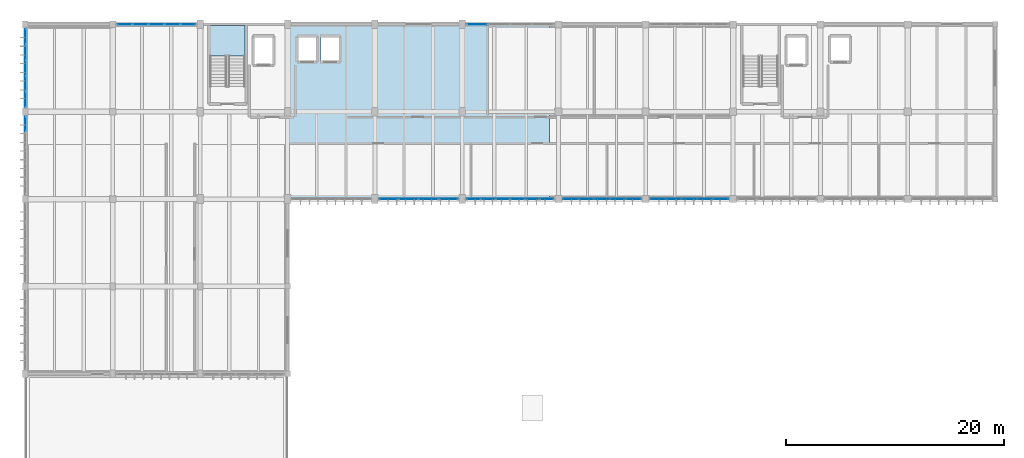
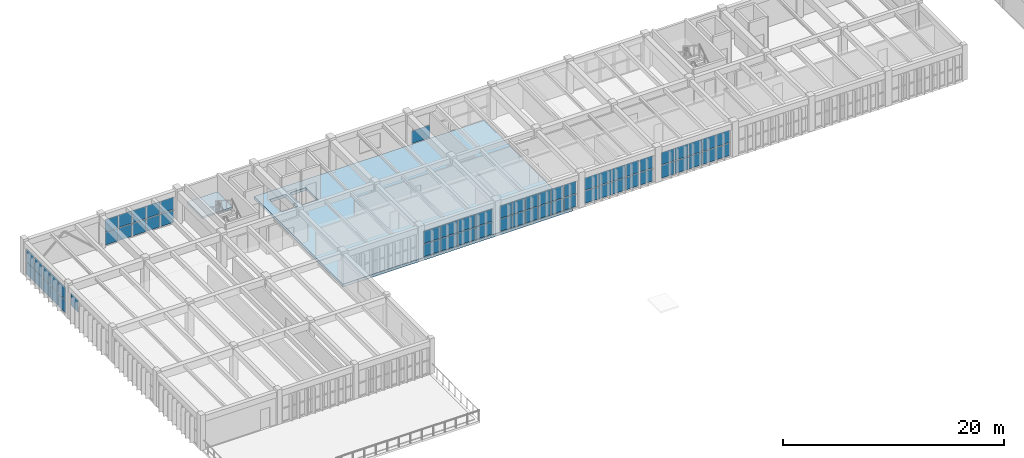
# One storey, part 15 of 31: 62 plates, 2 slabs, 9 elements without a shape of their own.
"""IFC4 building model written with IfcOpenShell, lengths in metres."""

from ifc_helpers import new_model, si_unit, direction, frame, origin, origin_2d, place, context, subcontext, project, spatial, polyline, rectangle, outline, extrude, material, layer, layer_set, type_object, element, aggregate, save


model = new_model("IFC4")

# Units and contexts
model_context = context("Model", 3, precision=1e-05, world=origin(), true_north=direction((0.0, 1.0)))
body_context = subcontext(model_context, "Body", "Model", "MODEL_VIEW")
ifc_project = project(units=[si_unit("LENGTHUNIT", "METRE"), si_unit("AREAUNIT", "SQUARE_METRE"), si_unit("VOLUMEUNIT", "CUBIC_METRE"), si_unit("PLANEANGLEUNIT", "RADIAN"), si_unit("MASSUNIT", "GRAM", prefix="KILO")], contexts=[model_context])

# Site, building, storey
site_placement = place(None, origin())
site = spatial("IfcSite", under=ifc_project, at=site_placement, CompositionType="ELEMENT")
building_placement = place(site_placement, origin())
building = spatial("IfcBuilding", under=site, at=building_placement, Name="Tlaxcora Railside Police Headquarters", CompositionType="ELEMENT")
storey_placement = place(building_placement, frame((0.0, 0.0, 18.0)))
storey = spatial("IfcBuildingStorey", under=building, at=storey_placement, Name="L04", CompositionType="ELEMENT", Elevation=18.0)

# Curtain wall, plates
ifc_material_1 = material(Name="Thermally broken low-E insulated glazing", Category="glass")
curtain_wall_type_1 = type_object("IfcCurtainWallType", Name="Unitised Curtain Wall Assembly CW-23", PredefinedType="NOTDEFINED", material=ifc_material_1)
curtain_wall_1_placement = place(storey_placement, origin())
curtain_wall_1 = element("IfcCurtainWall", 1, at=curtain_wall_1_placement, inside=storey, type_object=curtain_wall_type_1, Name="V5 L04 curtain wall 92", PredefinedType="NOTDEFINED")
ifc_layer_1 = layer(ifc_material_1, 0.0400390625, Name="Thermally broken low-E insulated glazing")
ifc_layer_set_1 = layer_set([ifc_layer_1], Name="Thermally broken low-E insulated glazing")
plate_type_1 = type_object("IfcPlateType", Name="Curtain Wall Infill Panel CW-17", PredefinedType="CURTAIN_PANEL", material=ifc_layer_set_1)
plate_1_placement = place(storey_placement, frame((46.242919921875, 76.800048828125, 0.080078125), z_axis=(0.0, 0.0, 1.0), x_axis=(1.0, 0.0, 0.0)))
plate_1 = element("IfcPlate", 2, at=plate_1_placement, type_object=plate_type_1, Name="CW panel 1.1", PredefinedType="CURTAIN_PANEL", context=body_context, shape_type="SweptSolid", body=[
    extrude(rectangle(XDim=1.225830078125, YDim=0.0400390625, at=origin_2d()), origin(), (0.0, 0.0, 1.0), 1.375),
])
plate_2_placement = place(storey_placement, frame((46.242919921875, 76.800048828125, 1.534912109375), z_axis=(0.0, 0.0, 1.0), x_axis=(1.0, 0.0, 0.0)))
plate_2 = element("IfcPlate", 3, at=plate_2_placement, type_object=plate_type_1, Name="CW panel 1.2", PredefinedType="CURTAIN_PANEL", context=body_context, shape_type="SweptSolid", body=[
    extrude(rectangle(XDim=1.225830078125, YDim=0.0400390625, at=origin_2d()), origin(), (0.0, 0.0, 1.0), 1.35498046875),
])
plate_3_placement = place(storey_placement, frame((47.56884765625, 76.800048828125, 0.080078125), z_axis=(0.0, 0.0, 1.0), x_axis=(1.0, 0.0, 0.0)))
plate_3 = element("IfcPlate", 4, at=plate_3_placement, type_object=plate_type_1, Name="CW panel 2.1", PredefinedType="CURTAIN_PANEL", context=body_context, shape_type="SweptSolid", body=[
    extrude(rectangle(XDim=1.265869140625, YDim=0.0400390625, at=origin_2d()), origin(), (0.0, 0.0, 1.0), 1.375),
])
plate_4_placement = place(storey_placement, frame((47.56884765625, 76.800048828125, 1.534912109375), z_axis=(0.0, 0.0, 1.0), x_axis=(1.0, 0.0, 0.0)))
plate_4 = element("IfcPlate", 5, at=plate_4_placement, type_object=plate_type_1, Name="CW panel 2.2", PredefinedType="CURTAIN_PANEL", context=body_context, shape_type="SweptSolid", body=[
    extrude(rectangle(XDim=1.265869140625, YDim=0.0400390625, at=origin_2d()), origin(), (0.0, 0.0, 1.0), 1.35498046875),
])
plate_5_placement = place(storey_placement, frame((48.91455078125, 76.800048828125, 0.080078125), z_axis=(0.0, 0.0, 1.0), x_axis=(1.0, 0.0, 0.0)))
plate_5 = element("IfcPlate", 6, at=plate_5_placement, type_object=plate_type_1, Name="CW panel 3.1", PredefinedType="CURTAIN_PANEL", context=body_context, shape_type="SweptSolid", body=[
    extrude(rectangle(XDim=1.265869140625, YDim=0.0400390625, at=origin_2d()), origin(), (0.0, 0.0, 1.0), 1.375),
])
plate_6_placement = place(storey_placement, frame((48.91455078125, 76.800048828125, 1.534912109375), z_axis=(0.0, 0.0, 1.0), x_axis=(1.0, 0.0, 0.0)))
plate_6 = element("IfcPlate", 7, at=plate_6_placement, type_object=plate_type_1, Name="CW panel 3.2", PredefinedType="CURTAIN_PANEL", context=body_context, shape_type="SweptSolid", body=[
    extrude(rectangle(XDim=1.265869140625, YDim=0.0400390625, at=origin_2d()), origin(), (0.0, 0.0, 1.0), 1.35498046875),
])
plate_7_placement = place(storey_placement, frame((50.260498046875, 76.800048828125, 0.080078125), z_axis=(0.0, 0.0, 1.0), x_axis=(1.0, 0.0, 0.0)))
plate_7 = element("IfcPlate", 8, at=plate_7_placement, type_object=plate_type_1, Name="CW panel 4.1", PredefinedType="CURTAIN_PANEL", context=body_context, shape_type="SweptSolid", body=[
    extrude(rectangle(XDim=1.265869140625, YDim=0.0400390625, at=origin_2d()), origin(), (0.0, 0.0, 1.0), 1.375),
])
plate_8_placement = place(storey_placement, frame((50.260498046875, 76.800048828125, 1.534912109375), z_axis=(0.0, 0.0, 1.0), x_axis=(1.0, 0.0, 0.0)))
plate_8 = element("IfcPlate", 9, at=plate_8_placement, type_object=plate_type_1, Name="CW panel 4.2", PredefinedType="CURTAIN_PANEL", context=body_context, shape_type="SweptSolid", body=[
    extrude(rectangle(XDim=1.265869140625, YDim=0.0400390625, at=origin_2d()), origin(), (0.0, 0.0, 1.0), 1.35498046875),
])
plate_9_placement = place(storey_placement, frame((51.606201171875, 76.800048828125, 0.080078125), z_axis=(0.0, 0.0, 1.0), x_axis=(1.0, 0.0, 0.0)))
plate_9 = element("IfcPlate", 10, at=plate_9_placement, type_object=plate_type_1, Name="CW panel 5.1", PredefinedType="CURTAIN_PANEL", context=body_context, shape_type="SweptSolid", body=[
    extrude(rectangle(XDim=1.265869140625, YDim=0.0400390625, at=origin_2d()), origin(), (0.0, 0.0, 1.0), 1.375),
])
plate_10_placement = place(storey_placement, frame((51.606201171875, 76.800048828125, 1.534912109375), z_axis=(0.0, 0.0, 1.0), x_axis=(1.0, 0.0, 0.0)))
plate_10 = element("IfcPlate", 11, at=plate_10_placement, type_object=plate_type_1, Name="CW panel 5.2", PredefinedType="CURTAIN_PANEL", context=body_context, shape_type="SweptSolid", body=[
    extrude(rectangle(XDim=1.265869140625, YDim=0.0400390625, at=origin_2d()), origin(), (0.0, 0.0, 1.0), 1.35498046875),
])
plate_11_placement = place(storey_placement, frame((52.93212890625, 76.800048828125, 0.080078125), z_axis=(0.0, 0.0, 1.0), x_axis=(1.0, 0.0, 0.0)))
plate_11 = element("IfcPlate", 12, at=plate_11_placement, type_object=plate_type_1, Name="CW panel 6.1", PredefinedType="CURTAIN_PANEL", context=body_context, shape_type="SweptSolid", body=[
    extrude(rectangle(XDim=1.225830078125, YDim=0.0400390625, at=origin_2d()), origin(), (0.0, 0.0, 1.0), 1.375),
])
plate_12_placement = place(storey_placement, frame((52.93212890625, 76.800048828125, 1.534912109375), z_axis=(0.0, 0.0, 1.0), x_axis=(1.0, 0.0, 0.0)))
plate_12 = element("IfcPlate", 13, at=plate_12_placement, type_object=plate_type_1, Name="CW panel 6.2", PredefinedType="CURTAIN_PANEL", context=body_context, shape_type="SweptSolid", body=[
    extrude(rectangle(XDim=1.225830078125, YDim=0.0400390625, at=origin_2d()), origin(), (0.0, 0.0, 1.0), 1.35498046875),
])
aggregate(curtain_wall_1, [plate_1, plate_2, plate_3, plate_4, plate_5, plate_6, plate_7, plate_8, plate_9, plate_10, plate_11, plate_12])

curtain_wall_2_placement = place(storey_placement, origin())
curtain_wall_2 = element("IfcCurtainWall", 14, at=curtain_wall_2_placement, inside=storey, type_object=curtain_wall_type_1, Name="V5 L04 curtain wall 100", PredefinedType="NOTDEFINED")
plate_13_placement = place(storey_placement, frame((20.10009765625, 92.800048828125, 0.080078125), z_axis=(0.0, 0.0, 1.0), x_axis=(-1.0, 0.0, 0.0)))
plate_13 = element("IfcPlate", 15, at=plate_13_placement, type_object=plate_type_1, Name="CW panel 1.1", PredefinedType="CURTAIN_PANEL", context=body_context, shape_type="SweptSolid", body=[
    extrude(rectangle(XDim=1.340087890625, YDim=0.0400390625, at=origin_2d()), origin(), (0.0, 0.0, 1.0), 1.375),
])
plate_14_placement = place(storey_placement, frame((20.10009765625, 92.800048828125, 1.534912109375), z_axis=(0.0, 0.0, 1.0), x_axis=(-1.0, 0.0, 0.0)))
plate_14 = element("IfcPlate", 16, at=plate_14_placement, type_object=plate_type_1, Name="CW panel 1.2", PredefinedType="CURTAIN_PANEL", context=body_context, shape_type="SweptSolid", body=[
    extrude(rectangle(XDim=1.340087890625, YDim=0.0400390625, at=origin_2d()), origin(), (0.0, 0.0, 1.0), 1.35498046875),
])
plate_15_placement = place(storey_placement, frame((18.659912109375, 92.800048828125, 0.080078125), z_axis=(0.0, 0.0, 1.0), x_axis=(-1.0, 0.0, 0.0)))
plate_15 = element("IfcPlate", 17, at=plate_15_placement, type_object=plate_type_1, Name="CW panel 2.1", PredefinedType="CURTAIN_PANEL", context=body_context, shape_type="SweptSolid", body=[
    extrude(rectangle(XDim=1.3798828125, YDim=0.0400390625, at=origin_2d()), origin(), (0.0, 0.0, 1.0), 1.375),
])
plate_16_placement = place(storey_placement, frame((18.659912109375, 92.800048828125, 1.534912109375), z_axis=(0.0, 0.0, 1.0), x_axis=(-1.0, 0.0, 0.0)))
plate_16 = element("IfcPlate", 18, at=plate_16_placement, type_object=plate_type_1, Name="CW panel 2.2", PredefinedType="CURTAIN_PANEL", context=body_context, shape_type="SweptSolid", body=[
    extrude(rectangle(XDim=1.3798828125, YDim=0.0400390625, at=origin_2d()), origin(), (0.0, 0.0, 1.0), 1.35498046875),
])
plate_17_placement = place(storey_placement, frame((17.199951171875, 92.800048828125, 0.080078125), z_axis=(0.0, 0.0, 1.0), x_axis=(-1.0, 0.0, 0.0)))
plate_17 = element("IfcPlate", 19, at=plate_17_placement, type_object=plate_type_1, Name="CW panel 3.1", PredefinedType="CURTAIN_PANEL", context=body_context, shape_type="SweptSolid", body=[
    extrude(rectangle(XDim=1.3798828125, YDim=0.0400390625, at=origin_2d()), origin(), (0.0, 0.0, 1.0), 1.375),
])
plate_18_placement = place(storey_placement, frame((17.199951171875, 92.800048828125, 1.534912109375), z_axis=(0.0, 0.0, 1.0), x_axis=(-1.0, 0.0, 0.0)))
plate_18 = element("IfcPlate", 20, at=plate_18_placement, type_object=plate_type_1, Name="CW panel 3.2", PredefinedType="CURTAIN_PANEL", context=body_context, shape_type="SweptSolid", body=[
    extrude(rectangle(XDim=1.3798828125, YDim=0.0400390625, at=origin_2d()), origin(), (0.0, 0.0, 1.0), 1.35498046875),
])
plate_19_placement = place(storey_placement, frame((15.739990234375, 92.800048828125, 0.080078125), z_axis=(0.0, 0.0, 1.0), x_axis=(-1.0, 0.0, 0.0)))
plate_19 = element("IfcPlate", 21, at=plate_19_placement, type_object=plate_type_1, Name="CW panel 4.1", PredefinedType="CURTAIN_PANEL", context=body_context, shape_type="SweptSolid", body=[
    extrude(rectangle(XDim=1.3798828125, YDim=0.0400390625, at=origin_2d()), origin(), (0.0, 0.0, 1.0), 1.375),
])
plate_20_placement = place(storey_placement, frame((15.739990234375, 92.800048828125, 1.534912109375), z_axis=(0.0, 0.0, 1.0), x_axis=(-1.0, 0.0, 0.0)))
plate_20 = element("IfcPlate", 22, at=plate_20_placement, type_object=plate_type_1, Name="CW panel 4.2", PredefinedType="CURTAIN_PANEL", context=body_context, shape_type="SweptSolid", body=[
    extrude(rectangle(XDim=1.3798828125, YDim=0.0400390625, at=origin_2d()), origin(), (0.0, 0.0, 1.0), 1.35498046875),
])
plate_21_placement = place(storey_placement, frame((14.300048828125, 92.800048828125, 0.080078125), z_axis=(0.0, 0.0, 1.0), x_axis=(-1.0, 0.0, 0.0)))
plate_21 = element("IfcPlate", 23, at=plate_21_placement, type_object=plate_type_1, Name="CW panel 5.1", PredefinedType="CURTAIN_PANEL", context=body_context, shape_type="SweptSolid", body=[
    extrude(rectangle(XDim=1.340087890625, YDim=0.0400390625, at=origin_2d()), origin(), (0.0, 0.0, 1.0), 1.375),
])
plate_22_placement = place(storey_placement, frame((14.300048828125, 92.800048828125, 1.534912109375), z_axis=(0.0, 0.0, 1.0), x_axis=(-1.0, 0.0, 0.0)))
plate_22 = element("IfcPlate", 24, at=plate_22_placement, type_object=plate_type_1, Name="CW panel 5.2", PredefinedType="CURTAIN_PANEL", context=body_context, shape_type="SweptSolid", body=[
    extrude(rectangle(XDim=1.340087890625, YDim=0.0400390625, at=origin_2d()), origin(), (0.0, 0.0, 1.0), 1.35498046875),
])
aggregate(curtain_wall_2, [plate_13, plate_14, plate_15, plate_16, plate_17, plate_18, plate_19, plate_20, plate_21, plate_22])

curtain_wall_type_2 = type_object("IfcCurtainWallType", Name="Unitised Curtain Wall Assembly CW-15", PredefinedType="NOTDEFINED", material=ifc_material_1)
curtain_wall_3_placement = place(storey_placement, origin())
curtain_wall_3 = element("IfcCurtainWall", 25, at=curtain_wall_3_placement, inside=storey, type_object=curtain_wall_type_2, Name="V5 L04 curtain wall 94", PredefinedType="NOTDEFINED")
ifc_layer_2 = layer(ifc_material_1, 0.031982421875, Name="Thermally broken low-E insulated glazing")
ifc_layer_set_2 = layer_set([ifc_layer_2], Name="Thermally broken low-E insulated glazing")
plate_type_2 = type_object("IfcPlateType", Name="Curtain Wall Infill Panel CW-41", PredefinedType="CURTAIN_PANEL", material=ifc_layer_set_2)
plate_23_placement = place(storey_placement, frame((63.11865234375, 76.800048828125, 0.0751953125), z_axis=(0.0, 0.0, 1.0), x_axis=(1.0, 0.0, 0.0)))
plate_23 = element("IfcPlate", 26, at=plate_23_placement, type_object=plate_type_2, Name="CW panel 1.1", PredefinedType="CURTAIN_PANEL", context=body_context, shape_type="SweptSolid", body=[
    extrude(rectangle(XDim=1.33740234375, YDim=0.031982421875, at=origin_2d()), origin(), (0.0, 0.0, 1.0), 1.382568359375),
])
plate_24_placement = place(storey_placement, frame((63.11865234375, 76.800048828125, 1.53271484375), z_axis=(0.0, 0.0, 1.0), x_axis=(1.0, 0.0, 0.0)))
plate_24 = element("IfcPlate", 27, at=plate_24_placement, type_object=plate_type_2, Name="CW panel 1.2", PredefinedType="CURTAIN_PANEL", context=body_context, shape_type="SweptSolid", body=[
    extrude(rectangle(XDim=1.33740234375, YDim=0.031982421875, at=origin_2d()), origin(), (0.0, 0.0, 1.0), 1.362548828125),
])
plate_25_placement = place(storey_placement, frame((64.550048828125, 76.800048828125, 0.0751953125), z_axis=(0.0, 0.0, 1.0), x_axis=(1.0, 0.0, 0.0)))
plate_25 = element("IfcPlate", 28, at=plate_25_placement, type_object=plate_type_2, Name="CW panel 2.1", PredefinedType="CURTAIN_PANEL", context=body_context, shape_type="SweptSolid", body=[
    extrude(rectangle(XDim=1.375, YDim=0.031982421875, at=origin_2d()), origin(), (0.0, 0.0, 1.0), 1.382568359375),
])
plate_26_placement = place(storey_placement, frame((64.550048828125, 76.800048828125, 1.53271484375), z_axis=(0.0, 0.0, 1.0), x_axis=(1.0, 0.0, 0.0)))
plate_26 = element("IfcPlate", 29, at=plate_26_placement, type_object=plate_type_2, Name="CW panel 2.2", PredefinedType="CURTAIN_PANEL", context=body_context, shape_type="SweptSolid", body=[
    extrude(rectangle(XDim=1.375, YDim=0.031982421875, at=origin_2d()), origin(), (0.0, 0.0, 1.0), 1.362548828125),
])
plate_27_placement = place(storey_placement, frame((66.0, 76.800048828125, 0.0751953125), z_axis=(0.0, 0.0, 1.0), x_axis=(1.0, 0.0, 0.0)))
plate_27 = element("IfcPlate", 30, at=plate_27_placement, type_object=plate_type_2, Name="CW panel 3.1", PredefinedType="CURTAIN_PANEL", context=body_context, shape_type="SweptSolid", body=[
    extrude(rectangle(XDim=1.375, YDim=0.031982421875, at=origin_2d()), origin(), (0.0, 0.0, 1.0), 1.382568359375),
])
plate_28_placement = place(storey_placement, frame((66.0, 76.800048828125, 1.53271484375), z_axis=(0.0, 0.0, 1.0), x_axis=(1.0, 0.0, 0.0)))
plate_28 = element("IfcPlate", 31, at=plate_28_placement, type_object=plate_type_2, Name="CW panel 3.2", PredefinedType="CURTAIN_PANEL", context=body_context, shape_type="SweptSolid", body=[
    extrude(rectangle(XDim=1.375, YDim=0.031982421875, at=origin_2d()), origin(), (0.0, 0.0, 1.0), 1.362548828125),
])
plate_29_placement = place(storey_placement, frame((67.449951171875, 76.800048828125, 0.0751953125), z_axis=(0.0, 0.0, 1.0), x_axis=(1.0, 0.0, 0.0)))
plate_29 = element("IfcPlate", 32, at=plate_29_placement, type_object=plate_type_2, Name="CW panel 4.1", PredefinedType="CURTAIN_PANEL", context=body_context, shape_type="SweptSolid", body=[
    extrude(rectangle(XDim=1.375, YDim=0.031982421875, at=origin_2d()), origin(), (0.0, 0.0, 1.0), 1.382568359375),
])
plate_30_placement = place(storey_placement, frame((67.449951171875, 76.800048828125, 1.53271484375), z_axis=(0.0, 0.0, 1.0), x_axis=(1.0, 0.0, 0.0)))
plate_30 = element("IfcPlate", 33, at=plate_30_placement, type_object=plate_type_2, Name="CW panel 4.2", PredefinedType="CURTAIN_PANEL", context=body_context, shape_type="SweptSolid", body=[
    extrude(rectangle(XDim=1.375, YDim=0.031982421875, at=origin_2d()), origin(), (0.0, 0.0, 1.0), 1.362548828125),
])
plate_31_placement = place(storey_placement, frame((68.88134765625, 76.800048828125, 0.0751953125), z_axis=(0.0, 0.0, 1.0), x_axis=(1.0, 0.0, 0.0)))
plate_31 = element("IfcPlate", 34, at=plate_31_placement, type_object=plate_type_2, Name="CW panel 5.1", PredefinedType="CURTAIN_PANEL", context=body_context, shape_type="SweptSolid", body=[
    extrude(rectangle(XDim=1.33740234375, YDim=0.031982421875, at=origin_2d()), origin(), (0.0, 0.0, 1.0), 1.382568359375),
])
plate_32_placement = place(storey_placement, frame((68.88134765625, 76.800048828125, 1.53271484375), z_axis=(0.0, 0.0, 1.0), x_axis=(1.0, 0.0, 0.0)))
plate_32 = element("IfcPlate", 35, at=plate_32_placement, type_object=plate_type_2, Name="CW panel 5.2", PredefinedType="CURTAIN_PANEL", context=body_context, shape_type="SweptSolid", body=[
    extrude(rectangle(XDim=1.33740234375, YDim=0.031982421875, at=origin_2d()), origin(), (0.0, 0.0, 1.0), 1.362548828125),
])
aggregate(curtain_wall_3, [plate_23, plate_24, plate_25, plate_26, plate_27, plate_28, plate_29, plate_30, plate_31, plate_32])

# Curtain wall, plate
curtain_wall_4_placement = place(storey_placement, origin())
curtain_wall_4 = element("IfcCurtainWall", 36, at=curtain_wall_4_placement, inside=storey, type_object=curtain_wall_type_2, Name="V5 L04 curtain wall 102", PredefinedType="NOTDEFINED")
plate_33_placement = place(storey_placement, frame((5.199951171875, 83.68115234375, 1.53271484375), z_axis=(0.0, 0.0, 1.0), x_axis=(0.0, -1.0, 0.0)))
plate_33 = element("IfcPlate", 37, at=plate_33_placement, type_object=plate_type_2, Name="CW panel 1.2", PredefinedType="CURTAIN_PANEL", context=body_context, shape_type="SweptSolid", body=[
    extrude(rectangle(XDim=1.33740234375, YDim=0.031982421875, at=origin_2d()), origin(), (0.0, 0.0, 1.0), 1.362548828125),
])
aggregate(curtain_wall_4, [plate_33])

# Curtain wall, plates
curtain_wall_type_3 = type_object("IfcCurtainWallType", Name="Unitised Curtain Wall Assembly CW-83", PredefinedType="NOTDEFINED", material=ifc_material_1)
curtain_wall_5_placement = place(storey_placement, origin())
curtain_wall_5 = element("IfcCurtainWall", 38, at=curtain_wall_5_placement, inside=storey, type_object=curtain_wall_type_3, Name="V5 L04 curtain wall 91", PredefinedType="NOTDEFINED")
ifc_layer_3 = layer(ifc_material_1, 0.035888671875, Name="Thermally broken low-E insulated glazing")
ifc_layer_set_3 = layer_set([ifc_layer_3], Name="Thermally broken low-E insulated glazing")
plate_type_3 = type_object("IfcPlateType", Name="Curtain Wall Infill Panel CW-72", PredefinedType="CURTAIN_PANEL", material=ifc_layer_set_3)
plate_34_placement = place(storey_placement, frame((38.482421875, 76.800048828125, 0.080078125), z_axis=(0.0, 0.0, 1.0), x_axis=(1.0, 0.0, 0.0)))
plate_34 = element("IfcPlate", 39, at=plate_34_placement, type_object=plate_type_3, Name="CW panel 1.1", PredefinedType="CURTAIN_PANEL", context=body_context, shape_type="SweptSolid", body=[
    extrude(rectangle(XDim=1.705078125, YDim=0.035888671875, at=origin_2d()), origin(), (0.0, 0.0, 1.0), 1.375),
])
plate_35_placement = place(storey_placement, frame((38.482421875, 76.800048828125, 1.534912109375), z_axis=(0.0, 0.0, 1.0), x_axis=(1.0, 0.0, 0.0)))
plate_35 = element("IfcPlate", 40, at=plate_35_placement, type_object=plate_type_3, Name="CW panel 1.2", PredefinedType="CURTAIN_PANEL", context=body_context, shape_type="SweptSolid", body=[
    extrude(rectangle(XDim=1.705078125, YDim=0.035888671875, at=origin_2d()), origin(), (0.0, 0.0, 1.0), 1.35498046875),
])
plate_36_placement = place(storey_placement, frame((40.28759765625, 76.800048828125, 0.080078125), z_axis=(0.0, 0.0, 1.0), x_axis=(1.0, 0.0, 0.0)))
plate_36 = element("IfcPlate", 41, at=plate_36_placement, type_object=plate_type_3, Name="CW panel 2.1", PredefinedType="CURTAIN_PANEL", context=body_context, shape_type="SweptSolid", body=[
    extrude(rectangle(XDim=1.7451171875, YDim=0.035888671875, at=origin_2d()), origin(), (0.0, 0.0, 1.0), 1.375),
])
plate_37_placement = place(storey_placement, frame((40.28759765625, 76.800048828125, 1.534912109375), z_axis=(0.0, 0.0, 1.0), x_axis=(1.0, 0.0, 0.0)))
plate_37 = element("IfcPlate", 42, at=plate_37_placement, type_object=plate_type_3, Name="CW panel 2.2", PredefinedType="CURTAIN_PANEL", context=body_context, shape_type="SweptSolid", body=[
    extrude(rectangle(XDim=1.7451171875, YDim=0.035888671875, at=origin_2d()), origin(), (0.0, 0.0, 1.0), 1.35498046875),
])
plate_38_placement = place(storey_placement, frame((42.112548828125, 76.800048828125, 0.080078125), z_axis=(0.0, 0.0, 1.0), x_axis=(1.0, 0.0, 0.0)))
plate_38 = element("IfcPlate", 43, at=plate_38_placement, type_object=plate_type_3, Name="CW panel 3.1", PredefinedType="CURTAIN_PANEL", context=body_context, shape_type="SweptSolid", body=[
    extrude(rectangle(XDim=1.7451171875, YDim=0.035888671875, at=origin_2d()), origin(), (0.0, 0.0, 1.0), 1.375),
])
plate_39_placement = place(storey_placement, frame((42.112548828125, 76.800048828125, 1.534912109375), z_axis=(0.0, 0.0, 1.0), x_axis=(1.0, 0.0, 0.0)))
plate_39 = element("IfcPlate", 44, at=plate_39_placement, type_object=plate_type_3, Name="CW panel 3.2", PredefinedType="CURTAIN_PANEL", context=body_context, shape_type="SweptSolid", body=[
    extrude(rectangle(XDim=1.7451171875, YDim=0.035888671875, at=origin_2d()), origin(), (0.0, 0.0, 1.0), 1.35498046875),
])
plate_40_placement = place(storey_placement, frame((43.91748046875, 76.800048828125, 0.080078125), z_axis=(0.0, 0.0, 1.0), x_axis=(1.0, 0.0, 0.0)))
plate_40 = element("IfcPlate", 45, at=plate_40_placement, type_object=plate_type_3, Name="CW panel 4.1", PredefinedType="CURTAIN_PANEL", context=body_context, shape_type="SweptSolid", body=[
    extrude(rectangle(XDim=1.705078125, YDim=0.035888671875, at=origin_2d()), origin(), (0.0, 0.0, 1.0), 1.375),
])
plate_41_placement = place(storey_placement, frame((43.91748046875, 76.800048828125, 1.534912109375), z_axis=(0.0, 0.0, 1.0), x_axis=(1.0, 0.0, 0.0)))
plate_41 = element("IfcPlate", 46, at=plate_41_placement, type_object=plate_type_3, Name="CW panel 4.2", PredefinedType="CURTAIN_PANEL", context=body_context, shape_type="SweptSolid", body=[
    extrude(rectangle(XDim=1.705078125, YDim=0.035888671875, at=origin_2d()), origin(), (0.0, 0.0, 1.0), 1.35498046875),
])
aggregate(curtain_wall_5, [plate_34, plate_35, plate_36, plate_37, plate_38, plate_39, plate_40, plate_41])

# Curtain wall, plate
curtain_wall_6_placement = place(storey_placement, origin())
curtain_wall_6 = element("IfcCurtainWall", 47, at=curtain_wall_6_placement, inside=storey, type_object=curtain_wall_type_3, Name="V5 L04 curtain wall 99", PredefinedType="NOTDEFINED")
plate_42_placement = place(storey_placement, frame((46.579345703125, 92.800048828125, 0.080078125), z_axis=(0.0, 0.0, 1.0), x_axis=(-1.0, 0.0, 0.0)))
plate_42 = element("IfcPlate", 48, at=plate_42_placement, type_object=plate_type_3, Name="CW panel 4.1", PredefinedType="CURTAIN_PANEL", context=body_context, shape_type="SweptSolid", body=[
    extrude(rectangle(XDim=1.898681640625, YDim=0.035888671875, at=origin_2d()), origin(), (0.0, 0.0, 1.0), 1.375),
])
aggregate(curtain_wall_6, [plate_42])

# Curtain wall, plates
curtain_wall_type_4 = type_object("IfcCurtainWallType", Name="Unitised Curtain Wall Assembly CW-38", PredefinedType="NOTDEFINED", material=ifc_material_1)
curtain_wall_7_placement = place(storey_placement, origin())
curtain_wall_7 = element("IfcCurtainWall", 49, at=curtain_wall_7_placement, inside=storey, type_object=curtain_wall_type_4, Name="V5 L04 curtain wall 93", PredefinedType="NOTDEFINED")
ifc_layer_4 = layer(ifc_material_1, 0.028076171875, Name="Thermally broken low-E insulated glazing")
ifc_layer_set_4 = layer_set([ifc_layer_4], Name="Thermally broken low-E insulated glazing")
plate_type_4 = type_object("IfcPlateType", Name="Curtain Wall Infill Panel CW-92", PredefinedType="CURTAIN_PANEL", material=ifc_layer_set_4)
plate_43_placement = place(storey_placement, frame((55.11865234375, 76.800048828125, 0.0751953125), z_axis=(0.0, 0.0, 1.0), x_axis=(1.0, 0.0, 0.0)))
plate_43 = element("IfcPlate", 50, at=plate_43_placement, type_object=plate_type_4, Name="CW panel 1.1", PredefinedType="CURTAIN_PANEL", context=body_context, shape_type="SweptSolid", body=[
    extrude(rectangle(XDim=1.33740234375, YDim=0.028076171875, at=origin_2d()), origin(), (0.0, 0.0, 1.0), 1.382568359375),
])
plate_44_placement = place(storey_placement, frame((55.11865234375, 76.800048828125, 1.53271484375), z_axis=(0.0, 0.0, 1.0), x_axis=(1.0, 0.0, 0.0)))
plate_44 = element("IfcPlate", 51, at=plate_44_placement, type_object=plate_type_4, Name="CW panel 1.2", PredefinedType="CURTAIN_PANEL", context=body_context, shape_type="SweptSolid", body=[
    extrude(rectangle(XDim=1.33740234375, YDim=0.028076171875, at=origin_2d()), origin(), (0.0, 0.0, 1.0), 1.362548828125),
])
plate_45_placement = place(storey_placement, frame((56.550048828125, 76.800048828125, 0.0751953125), z_axis=(0.0, 0.0, 1.0), x_axis=(1.0, 0.0, 0.0)))
plate_45 = element("IfcPlate", 52, at=plate_45_placement, type_object=plate_type_4, Name="CW panel 2.1", PredefinedType="CURTAIN_PANEL", context=body_context, shape_type="SweptSolid", body=[
    extrude(rectangle(XDim=1.375, YDim=0.028076171875, at=origin_2d()), origin(), (0.0, 0.0, 1.0), 1.382568359375),
])
plate_46_placement = place(storey_placement, frame((56.550048828125, 76.800048828125, 1.53271484375), z_axis=(0.0, 0.0, 1.0), x_axis=(1.0, 0.0, 0.0)))
plate_46 = element("IfcPlate", 53, at=plate_46_placement, type_object=plate_type_4, Name="CW panel 2.2", PredefinedType="CURTAIN_PANEL", context=body_context, shape_type="SweptSolid", body=[
    extrude(rectangle(XDim=1.375, YDim=0.028076171875, at=origin_2d()), origin(), (0.0, 0.0, 1.0), 1.362548828125),
])
plate_47_placement = place(storey_placement, frame((58.0, 76.800048828125, 0.0751953125), z_axis=(0.0, 0.0, 1.0), x_axis=(1.0, 0.0, 0.0)))
plate_47 = element("IfcPlate", 54, at=plate_47_placement, type_object=plate_type_4, Name="CW panel 3.1", PredefinedType="CURTAIN_PANEL", context=body_context, shape_type="SweptSolid", body=[
    extrude(rectangle(XDim=1.375, YDim=0.028076171875, at=origin_2d()), origin(), (0.0, 0.0, 1.0), 1.382568359375),
])
plate_48_placement = place(storey_placement, frame((58.0, 76.800048828125, 1.53271484375), z_axis=(0.0, 0.0, 1.0), x_axis=(1.0, 0.0, 0.0)))
plate_48 = element("IfcPlate", 55, at=plate_48_placement, type_object=plate_type_4, Name="CW panel 3.2", PredefinedType="CURTAIN_PANEL", context=body_context, shape_type="SweptSolid", body=[
    extrude(rectangle(XDim=1.375, YDim=0.028076171875, at=origin_2d()), origin(), (0.0, 0.0, 1.0), 1.362548828125),
])
plate_49_placement = place(storey_placement, frame((59.449951171875, 76.800048828125, 0.0751953125), z_axis=(0.0, 0.0, 1.0), x_axis=(1.0, 0.0, 0.0)))
plate_49 = element("IfcPlate", 56, at=plate_49_placement, type_object=plate_type_4, Name="CW panel 4.1", PredefinedType="CURTAIN_PANEL", context=body_context, shape_type="SweptSolid", body=[
    extrude(rectangle(XDim=1.375, YDim=0.028076171875, at=origin_2d()), origin(), (0.0, 0.0, 1.0), 1.382568359375),
])
plate_50_placement = place(storey_placement, frame((59.449951171875, 76.800048828125, 1.53271484375), z_axis=(0.0, 0.0, 1.0), x_axis=(1.0, 0.0, 0.0)))
plate_50 = element("IfcPlate", 57, at=plate_50_placement, type_object=plate_type_4, Name="CW panel 4.2", PredefinedType="CURTAIN_PANEL", context=body_context, shape_type="SweptSolid", body=[
    extrude(rectangle(XDim=1.375, YDim=0.028076171875, at=origin_2d()), origin(), (0.0, 0.0, 1.0), 1.362548828125),
])
plate_51_placement = place(storey_placement, frame((60.88134765625, 76.800048828125, 0.0751953125), z_axis=(0.0, 0.0, 1.0), x_axis=(1.0, 0.0, 0.0)))
plate_51 = element("IfcPlate", 58, at=plate_51_placement, type_object=plate_type_4, Name="CW panel 5.1", PredefinedType="CURTAIN_PANEL", context=body_context, shape_type="SweptSolid", body=[
    extrude(rectangle(XDim=1.33740234375, YDim=0.028076171875, at=origin_2d()), origin(), (0.0, 0.0, 1.0), 1.382568359375),
])
plate_52_placement = place(storey_placement, frame((60.88134765625, 76.800048828125, 1.53271484375), z_axis=(0.0, 0.0, 1.0), x_axis=(1.0, 0.0, 0.0)))
plate_52 = element("IfcPlate", 59, at=plate_52_placement, type_object=plate_type_4, Name="CW panel 5.2", PredefinedType="CURTAIN_PANEL", context=body_context, shape_type="SweptSolid", body=[
    extrude(rectangle(XDim=1.33740234375, YDim=0.028076171875, at=origin_2d()), origin(), (0.0, 0.0, 1.0), 1.362548828125),
])
aggregate(curtain_wall_7, [plate_43, plate_44, plate_45, plate_46, plate_47, plate_48, plate_49, plate_50, plate_51, plate_52])

curtain_wall_8_placement = place(storey_placement, origin())
curtain_wall_8 = element("IfcCurtainWall", 60, at=curtain_wall_8_placement, inside=storey, type_object=curtain_wall_type_4, Name="V5 L04 curtain wall 101", PredefinedType="NOTDEFINED")
plate_53_placement = place(storey_placement, frame((5.199951171875, 91.68115234375, 0.0751953125), z_axis=(0.0, 0.0, 1.0), x_axis=(0.0, -1.0, 0.0)))
plate_53 = element("IfcPlate", 61, at=plate_53_placement, type_object=plate_type_4, Name="CW panel 1.1", PredefinedType="CURTAIN_PANEL", context=body_context, shape_type="SweptSolid", body=[
    extrude(rectangle(XDim=1.33740234375, YDim=0.028076171875, at=origin_2d()), origin(), (0.0, 0.0, 1.0), 1.382568359375),
])
plate_54_placement = place(storey_placement, frame((5.199951171875, 91.68115234375, 1.53271484375), z_axis=(0.0, 0.0, 1.0), x_axis=(0.0, -1.0, 0.0)))
plate_54 = element("IfcPlate", 62, at=plate_54_placement, type_object=plate_type_4, Name="CW panel 1.2", PredefinedType="CURTAIN_PANEL", context=body_context, shape_type="SweptSolid", body=[
    extrude(rectangle(XDim=1.33740234375, YDim=0.028076171875, at=origin_2d()), origin(), (0.0, 0.0, 1.0), 1.362548828125),
])
plate_55_placement = place(storey_placement, frame((5.199951171875, 90.25, 0.0751953125), z_axis=(0.0, 0.0, 1.0), x_axis=(0.0, -1.0, 0.0)))
plate_55 = element("IfcPlate", 63, at=plate_55_placement, type_object=plate_type_4, Name="CW panel 2.1", PredefinedType="CURTAIN_PANEL", context=body_context, shape_type="SweptSolid", body=[
    extrude(rectangle(XDim=1.375, YDim=0.028076171875, at=origin_2d()), origin(), (0.0, 0.0, 1.0), 1.382568359375),
])
plate_56_placement = place(storey_placement, frame((5.199951171875, 90.25, 1.53271484375), z_axis=(0.0, 0.0, 1.0), x_axis=(0.0, -1.0, 0.0)))
plate_56 = element("IfcPlate", 64, at=plate_56_placement, type_object=plate_type_4, Name="CW panel 2.2", PredefinedType="CURTAIN_PANEL", context=body_context, shape_type="SweptSolid", body=[
    extrude(rectangle(XDim=1.375, YDim=0.028076171875, at=origin_2d()), origin(), (0.0, 0.0, 1.0), 1.362548828125),
])
plate_57_placement = place(storey_placement, frame((5.199951171875, 88.800048828125, 0.0751953125), z_axis=(0.0, 0.0, 1.0), x_axis=(0.0, -1.0, 0.0)))
plate_57 = element("IfcPlate", 65, at=plate_57_placement, type_object=plate_type_4, Name="CW panel 3.1", PredefinedType="CURTAIN_PANEL", context=body_context, shape_type="SweptSolid", body=[
    extrude(rectangle(XDim=1.375, YDim=0.028076171875, at=origin_2d()), origin(), (0.0, 0.0, 1.0), 1.382568359375),
])
plate_58_placement = place(storey_placement, frame((5.199951171875, 88.800048828125, 1.53271484375), z_axis=(0.0, 0.0, 1.0), x_axis=(0.0, -1.0, 0.0)))
plate_58 = element("IfcPlate", 66, at=plate_58_placement, type_object=plate_type_4, Name="CW panel 3.2", PredefinedType="CURTAIN_PANEL", context=body_context, shape_type="SweptSolid", body=[
    extrude(rectangle(XDim=1.375, YDim=0.028076171875, at=origin_2d()), origin(), (0.0, 0.0, 1.0), 1.362548828125),
])
plate_59_placement = place(storey_placement, frame((5.199951171875, 87.35009765625, 0.0751953125), z_axis=(0.0, 0.0, 1.0), x_axis=(0.0, -1.0, 0.0)))
plate_59 = element("IfcPlate", 67, at=plate_59_placement, type_object=plate_type_4, Name="CW panel 4.1", PredefinedType="CURTAIN_PANEL", context=body_context, shape_type="SweptSolid", body=[
    extrude(rectangle(XDim=1.375, YDim=0.028076171875, at=origin_2d()), origin(), (0.0, 0.0, 1.0), 1.382568359375),
])
plate_60_placement = place(storey_placement, frame((5.199951171875, 87.35009765625, 1.53271484375), z_axis=(0.0, 0.0, 1.0), x_axis=(0.0, -1.0, 0.0)))
plate_60 = element("IfcPlate", 68, at=plate_60_placement, type_object=plate_type_4, Name="CW panel 4.2", PredefinedType="CURTAIN_PANEL", context=body_context, shape_type="SweptSolid", body=[
    extrude(rectangle(XDim=1.375, YDim=0.028076171875, at=origin_2d()), origin(), (0.0, 0.0, 1.0), 1.362548828125),
])
plate_61_placement = place(storey_placement, frame((5.199951171875, 85.918701171875, 0.0751953125), z_axis=(0.0, 0.0, 1.0), x_axis=(0.0, -1.0, 0.0)))
plate_61 = element("IfcPlate", 69, at=plate_61_placement, type_object=plate_type_4, Name="CW panel 5.1", PredefinedType="CURTAIN_PANEL", context=body_context, shape_type="SweptSolid", body=[
    extrude(rectangle(XDim=1.33740234375, YDim=0.028076171875, at=origin_2d()), origin(), (0.0, 0.0, 1.0), 1.382568359375),
])
plate_62_placement = place(storey_placement, frame((5.199951171875, 85.918701171875, 1.53271484375), z_axis=(0.0, 0.0, 1.0), x_axis=(0.0, -1.0, 0.0)))
plate_62 = element("IfcPlate", 70, at=plate_62_placement, type_object=plate_type_4, Name="CW panel 5.2", PredefinedType="CURTAIN_PANEL", context=body_context, shape_type="SweptSolid", body=[
    extrude(rectangle(XDim=1.33740234375, YDim=0.028076171875, at=origin_2d()), origin(), (0.0, 0.0, 1.0), 1.362548828125),
])
aggregate(curtain_wall_8, [plate_53, plate_54, plate_55, plate_56, plate_57, plate_58, plate_59, plate_60, plate_61, plate_62])

# Stair, slab
ifc_material_2 = material(Name="Concrete C40/50", Category="concrete")
stair_type = type_object("IfcStairType", Name="Half-Turn Dog-Leg Stair ST-30", PredefinedType="HALF_TURN_STAIR", material=ifc_material_2)
stair_placement = place(storey_placement, origin())
stair = element("IfcStair", 71, at=stair_placement, inside=storey, type_object=stair_type, Name="L04 ST1", PredefinedType="HALF_TURN_STAIR")
ifc_material_3 = material(Name="Concrete C35/45", Category="concrete")
ifc_layer_5 = layer(ifc_material_3, 0.199951171875, Name="Concrete C35/45")
ifc_layer_set_5 = layer_set([ifc_layer_5], Name="Concrete C35/45")
slab_type_1 = type_object("IfcSlabType", Name="Stair Landing Slab SL-23", PredefinedType="LANDING", material=ifc_layer_set_5)
slab_1_placement = place(storey_placement, frame((0.0, 0.0, 1.75)))
slab_1 = element("IfcSlab", 72, at=slab_1_placement, type_object=slab_type_1, Name="ST1 landing 1", PredefinedType="LANDING", context=body_context, shape_type="SweptSolid", body=[
    extrude(outline(polyline([(25.31005859375, 89.909912109375), (25.31005859375, 92.68994140625), (22.110107421875, 92.68994140625), (22.110107421875, 89.909912109375), (25.31005859375, 89.909912109375)])), origin(), (0.0, 0.0, 1.0), 0.199951171875),
])
aggregate(stair, [slab_1])

# Slab
ifc_layer_6 = layer(ifc_material_2, 0.31005859375, Name="Concrete C40/50")
ifc_layer_set_6 = layer_set([ifc_layer_6], Name="Concrete C40/50")
slab_type_2 = type_object("IfcSlabType", Name="Suspended Floor Slab SL-37", PredefinedType="FLOOR", material=ifc_layer_set_6)
slab_2_placement = place(storey_placement, frame((0.0, 0.0, -0.31005859375)))
element("IfcSlab", 73, at=slab_2_placement, inside=storey, type_object=slab_type_2, Name="V5 L04 floor slab zone 2", PredefinedType="FLOOR", context=body_context, shape_type="SweptSolid", body=[
    extrude(outline(polyline([(53.199951171875, 92.800048828125), (29.199951171875, 92.800048828125), (29.199951171875, 76.800048828125), (53.199951171875, 76.800048828125), (53.199951171875, 92.800048828125)]), holes=[polyline([(31.85009765625, 89.449951171875), (30.14990234375, 89.449951171875), (30.14990234375, 91.64990234375), (31.85009765625, 91.64990234375), (31.85009765625, 89.449951171875)]), polyline([(32.25, 89.449951171875), (32.25, 91.64990234375), (33.949951171875, 91.64990234375), (33.949951171875, 89.449951171875), (32.25, 89.449951171875)])]), origin(), (0.0, 0.0, 1.0), 0.31005859375),
])

save(model, "model.ifc")
